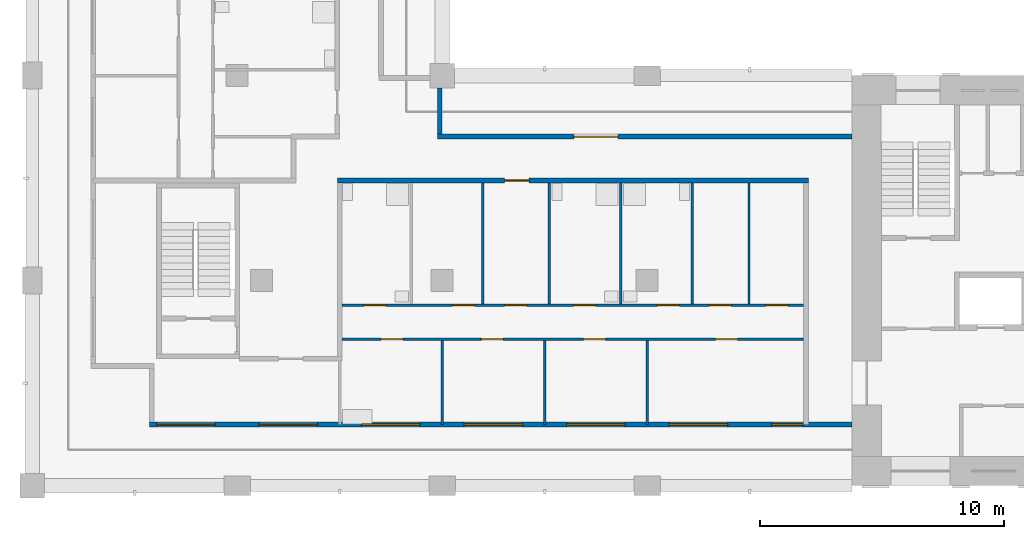
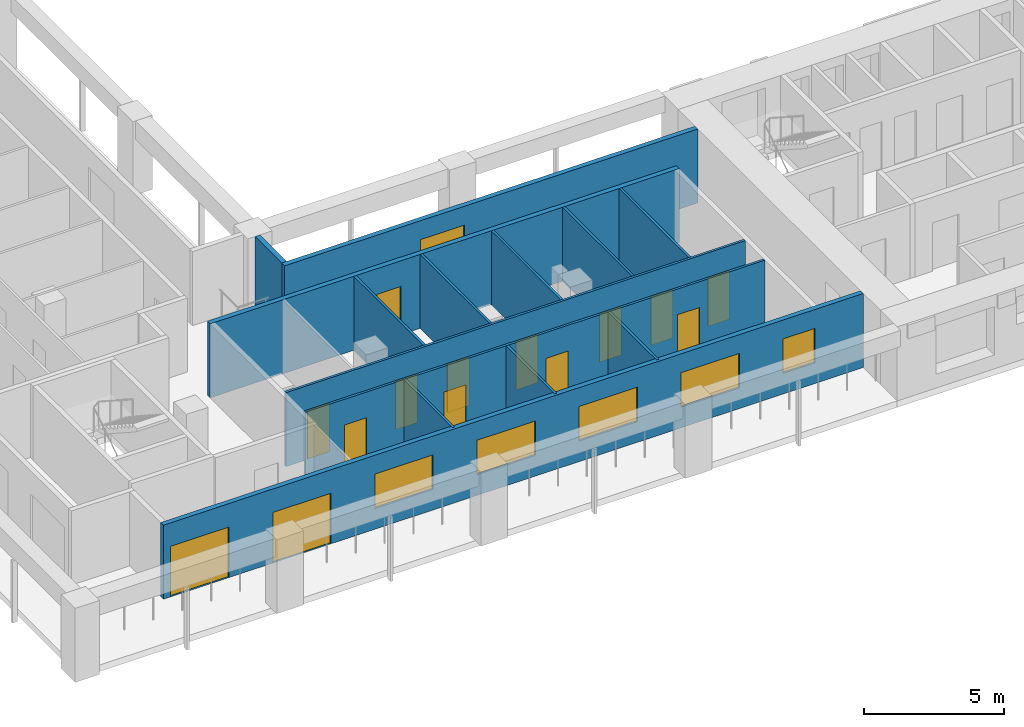
# One storey, part 2 of 10: 15 doors, 14 walls, 5 windows, 20 openings.
"""IFC4 building model written with IfcOpenShell, lengths in metres."""

from ifc_helpers import new_model, si_unit, direction, frame, frame_2d, origin, place, context, subcontext, project, spatial, rectangle, extrude, material, layer, layer_set, type_object, element, fill, save


model = new_model("IFC4")

# Units and contexts
model_context = context("Model", 3, precision=1e-05, world=origin(), true_north=direction((0.0, 1.0)))
body_context = subcontext(model_context, "Body", "Model", "MODEL_VIEW")
ifc_project = project(units=[si_unit("LENGTHUNIT", "METRE"), si_unit("AREAUNIT", "SQUARE_METRE"), si_unit("VOLUMEUNIT", "CUBIC_METRE"), si_unit("PLANEANGLEUNIT", "RADIAN"), si_unit("MASSUNIT", "GRAM", prefix="KILO")], contexts=[model_context])

# Site, building, storey
site_placement = place(None, origin())
site = spatial("IfcSite", under=ifc_project, at=site_placement, CompositionType="ELEMENT")
building_placement = place(site_placement, origin())
building = spatial("IfcBuilding", under=site, at=building_placement, Name="Vermilion Gate Residences", CompositionType="ELEMENT")
storey_placement = place(building_placement, frame((0.0, 0.0, 270.199951171875)))
storey = spatial("IfcBuildingStorey", under=building, at=storey_placement, Name="L71", CompositionType="ELEMENT", Elevation=270.199951171875)

# Wall, openings, doors, windows
ifc_material_1 = material(Name="Insulated steel stud wall with terracotta rainscreen", Category="masonry")
ifc_layer_1 = layer(ifc_material_1, 0.199951171875)
ifc_layer_set_1 = layer_set([ifc_layer_1], Name="EXTERNAL WALL 200 TERRACOTTA RAINSCREEN")
wall_type_1 = type_object("IfcWallType", Name="EXTERNAL WALL 200 TERRACOTTA RAINSCREEN", PredefinedType="SOLIDWALL", material=ifc_layer_set_1)
wall_1_placement = place(storey_placement, frame((13.199951171875, 10.89990234375, 0.0), z_axis=(0.0, 0.0, 1.0), x_axis=(1.0, 0.0, 0.0)))
wall_1 = element("IfcWall", 1, at=wall_1_placement, inside=storey, type_object=wall_type_1, Name="External wall", PredefinedType="SOLIDWALL", context=body_context, shape_type="SweptSolid", body=[
    extrude(rectangle(XDim=28.800048828125, YDim=0.199951171875, at=frame_2d((14.39990234375, 0.0))), origin(), (0.0, 0.0, 1.0), 3.219970703125),
])
opening_1_placement = place(wall_1_placement, frame((0.300048828125, 0.0, 0.0)))
opening_1 = element("IfcOpeningElement", 2, at=opening_1_placement, cuts=wall_1, Name="Opening DE71008", PredefinedType="OPENING", context=body_context, shape_type="SweptSolid", body=[
    extrude(rectangle(XDim=2.39990234375, YDim=2.199951171875, at=frame_2d((1.199951171875, 1.10009765625))), frame((0.0, 0.10986328125, 0.0), z_axis=(0.0, -1.0, 0.0), x_axis=(1.0, 0.0, 0.0)), (0.0, 0.0, 1.0), 0.219970703125),
])
opening_2_placement = place(wall_1_placement, frame((4.5, 0.0, 0.0)))
opening_2 = element("IfcOpeningElement", 3, at=opening_2_placement, cuts=wall_1, Name="Opening DE71009", PredefinedType="OPENING", context=body_context, shape_type="SweptSolid", body=[
    extrude(rectangle(XDim=2.39990234375, YDim=2.199951171875, at=frame_2d((1.199951171875, 1.10009765625))), frame((0.0, 0.10986328125, 0.0), z_axis=(0.0, -1.0, 0.0), x_axis=(1.0, 0.0, 0.0)), (0.0, 0.0, 1.0), 0.219970703125),
])
opening_3_placement = place(wall_1_placement, frame((8.699951171875, 0.0, 0.89990234375)))
opening_3 = element("IfcOpeningElement", 4, at=opening_3_placement, cuts=wall_1, Name="Opening WE71010", PredefinedType="OPENING", context=body_context, shape_type="SweptSolid", body=[
    extrude(rectangle(XDim=2.39990234375, YDim=1.5, at=frame_2d((1.199951171875, 0.75))), frame((0.0, 0.10986328125, 0.0), z_axis=(0.0, -1.0, 0.0), x_axis=(1.0, 0.0, 0.0)), (0.0, 0.0, 1.0), 0.219970703125),
])
opening_4_placement = place(wall_1_placement, frame((12.89990234375, 0.0, 0.89990234375)))
opening_4 = element("IfcOpeningElement", 5, at=opening_4_placement, cuts=wall_1, Name="Opening WE71011", PredefinedType="OPENING", context=body_context, shape_type="SweptSolid", body=[
    extrude(rectangle(XDim=2.39990234375, YDim=1.5, at=frame_2d((1.199951171875, 0.75))), frame((0.0, 0.10986328125, 0.0), z_axis=(0.0, -1.0, 0.0), x_axis=(1.0, 0.0, 0.0)), (0.0, 0.0, 1.0), 0.219970703125),
])
opening_5_placement = place(wall_1_placement, frame((17.10009765625, 0.0, 0.89990234375)))
opening_5 = element("IfcOpeningElement", 6, at=opening_5_placement, cuts=wall_1, Name="Opening WE71012", PredefinedType="OPENING", context=body_context, shape_type="SweptSolid", body=[
    extrude(rectangle(XDim=2.39990234375, YDim=1.5, at=frame_2d((1.199951171875, 0.75))), frame((0.0, 0.10986328125, 0.0), z_axis=(0.0, -1.0, 0.0), x_axis=(1.0, 0.0, 0.0)), (0.0, 0.0, 1.0), 0.219970703125),
])
opening_6_placement = place(wall_1_placement, frame((21.300048828125, 0.0, 0.89990234375)))
opening_6 = element("IfcOpeningElement", 7, at=opening_6_placement, cuts=wall_1, Name="Opening WE71013", PredefinedType="OPENING", context=body_context, shape_type="SweptSolid", body=[
    extrude(rectangle(XDim=2.39990234375, YDim=1.5, at=frame_2d((1.199951171875, 0.75))), frame((0.0, 0.10986328125, 0.0), z_axis=(0.0, -1.0, 0.0), x_axis=(1.0, 0.0, 0.0)), (0.0, 0.0, 1.0), 0.219970703125),
])
opening_7_placement = place(wall_1_placement, frame((25.5, 0.0, 0.89990234375)))
opening_7 = element("IfcOpeningElement", 8, at=opening_7_placement, cuts=wall_1, Name="Opening WE71014", PredefinedType="OPENING", context=body_context, shape_type="SweptSolid", body=[
    extrude(rectangle(XDim=1.300048828125, YDim=1.5, at=frame_2d((0.64990234375, 0.75))), frame((0.0, 0.10986328125, 0.0), z_axis=(0.0, -1.0, 0.0), x_axis=(1.0, 0.0, 0.0)), (0.0, 0.0, 1.0), 0.219970703125),
])
ifc_material_2 = material(Name="Aluminium and clear glass", Category="aluminium")
door_type_1 = type_object("IfcDoorType", Name="SLIDING GLAZED DOOR 2400 X 2200", OperationType="DOUBLE_DOOR_SLIDING", PredefinedType="DOOR", material=ifc_material_2)
door_1_placement = place(opening_1_placement, origin())
door_1 = element("IfcDoor", 9, at=door_1_placement, inside=storey, type_object=door_type_1, Name="Loggia sliding door", OperationType="DOUBLE_DOOR_SLIDING", OverallHeight=2.199951171875, OverallWidth=2.39990234375, PredefinedType="DOOR", context=body_context, shape_type="SweptSolid", body=[
    extrude(rectangle(XDim=2.39990234375, YDim=2.199951171875, at=frame_2d((1.199951171875, 1.10009765625))), frame((0.0, 0.02490234375, 0.0), z_axis=(0.0, -1.0, 0.0), x_axis=(1.0, 0.0, 0.0)), (0.0, 0.0, 1.0), 0.050048828125),
])
fill(opening_1, door_1)
door_2_placement = place(opening_2_placement, origin())
door_2 = element("IfcDoor", 10, at=door_2_placement, inside=storey, type_object=door_type_1, Name="Loggia sliding door", OperationType="DOUBLE_DOOR_SLIDING", OverallHeight=2.199951171875, OverallWidth=2.39990234375, PredefinedType="DOOR", context=body_context, shape_type="SweptSolid", body=[
    extrude(rectangle(XDim=2.39990234375, YDim=2.199951171875, at=frame_2d((1.199951171875, 1.10009765625))), frame((0.0, 0.02490234375, 0.0), z_axis=(0.0, -1.0, 0.0), x_axis=(1.0, 0.0, 0.0)), (0.0, 0.0, 1.0), 0.050048828125),
])
fill(opening_2, door_2)
ifc_material_3 = material(Name="Aluminium and clear glass", Category="aluminium")
window_type_1 = type_object("IfcWindowType", Name="WINDOW 1300 X 1500", PartitioningType="SINGLE_PANEL", PredefinedType="WINDOW", material=ifc_material_3)
window_1_placement = place(opening_7_placement, origin())
window_1 = element("IfcWindow", 11, at=window_1_placement, inside=storey, type_object=window_type_1, Name="Window", OverallHeight=1.5, OverallWidth=1.300048828125, PartitioningType="SINGLE_PANEL", PredefinedType="WINDOW", context=body_context, shape_type="SweptSolid", body=[
    extrude(rectangle(XDim=1.300048828125, YDim=1.5, at=frame_2d((0.64990234375, 0.75))), frame((0.0, 0.030029296875, 0.0), z_axis=(0.0, -1.0, 0.0), x_axis=(1.0, 0.0, 0.0)), (0.0, 0.0, 1.0), 0.06005859375),
])
fill(opening_7, window_1)
ifc_material_4 = material(Name="Aluminium and clear glass", Category="aluminium")
window_type_2 = type_object("IfcWindowType", Name="WINDOW 2400 X 1500", PartitioningType="SINGLE_PANEL", PredefinedType="WINDOW", material=ifc_material_4)
window_2_placement = place(opening_3_placement, origin())
window_2 = element("IfcWindow", 12, at=window_2_placement, inside=storey, type_object=window_type_2, Name="Window", OverallHeight=1.5, OverallWidth=2.39990234375, PartitioningType="SINGLE_PANEL", PredefinedType="WINDOW", context=body_context, shape_type="SweptSolid", body=[
    extrude(rectangle(XDim=2.39990234375, YDim=1.5, at=frame_2d((1.199951171875, 0.75))), frame((0.0, 0.030029296875, 0.0), z_axis=(0.0, -1.0, 0.0), x_axis=(1.0, 0.0, 0.0)), (0.0, 0.0, 1.0), 0.06005859375),
])
fill(opening_3, window_2)
window_3_placement = place(opening_4_placement, origin())
window_3 = element("IfcWindow", 13, at=window_3_placement, inside=storey, type_object=window_type_2, Name="Window", OverallHeight=1.5, OverallWidth=2.39990234375, PartitioningType="SINGLE_PANEL", PredefinedType="WINDOW", context=body_context, shape_type="SweptSolid", body=[
    extrude(rectangle(XDim=2.39990234375, YDim=1.5, at=frame_2d((1.199951171875, 0.75))), frame((0.0, 0.030029296875, 0.0), z_axis=(0.0, -1.0, 0.0), x_axis=(1.0, 0.0, 0.0)), (0.0, 0.0, 1.0), 0.06005859375),
])
fill(opening_4, window_3)
window_4_placement = place(opening_5_placement, origin())
window_4 = element("IfcWindow", 14, at=window_4_placement, inside=storey, type_object=window_type_2, Name="Window", OverallHeight=1.5, OverallWidth=2.39990234375, PartitioningType="SINGLE_PANEL", PredefinedType="WINDOW", context=body_context, shape_type="SweptSolid", body=[
    extrude(rectangle(XDim=2.39990234375, YDim=1.5, at=frame_2d((1.199951171875, 0.75))), frame((0.0, 0.030029296875, 0.0), z_axis=(0.0, -1.0, 0.0), x_axis=(1.0, 0.0, 0.0)), (0.0, 0.0, 1.0), 0.06005859375),
])
fill(opening_5, window_4)
window_5_placement = place(opening_6_placement, origin())
window_5 = element("IfcWindow", 15, at=window_5_placement, inside=storey, type_object=window_type_2, Name="Window", OverallHeight=1.5, OverallWidth=2.39990234375, PartitioningType="SINGLE_PANEL", PredefinedType="WINDOW", context=body_context, shape_type="SweptSolid", body=[
    extrude(rectangle(XDim=2.39990234375, YDim=1.5, at=frame_2d((1.199951171875, 0.75))), frame((0.0, 0.030029296875, 0.0), z_axis=(0.0, -1.0, 0.0), x_axis=(1.0, 0.0, 0.0)), (0.0, 0.0, 1.0), 0.06005859375),
])
fill(opening_6, window_5)

# Wall, opening, door
wall_2_placement = place(storey_placement, frame((42.0, 22.699951171875, 0.0), z_axis=(0.0, 0.0, 1.0), x_axis=(-1.0, 0.0, 0.0)))
wall_2 = element("IfcWall", 16, at=wall_2_placement, inside=storey, type_object=wall_type_1, Name="External wall", PredefinedType="SOLIDWALL", context=body_context, shape_type="SweptSolid", body=[
    extrude(rectangle(XDim=17.0, YDim=0.199951171875, at=frame_2d((8.5, 0.0))), origin(), (0.0, 0.0, 1.0), 3.219970703125),
])
opening_8_placement = place(wall_2_placement, frame((9.60009765625, 0.0, 0.0)))
opening_8 = element("IfcOpeningElement", 17, at=opening_8_placement, cuts=wall_2, Name="Opening DE71015", PredefinedType="OPENING", context=body_context, shape_type="SweptSolid", body=[
    extrude(rectangle(XDim=1.800048828125, YDim=2.39990234375, at=frame_2d((0.89990234375, 1.199951171875))), frame((0.0, 0.10986328125, 0.0), z_axis=(0.0, -1.0, 0.0), x_axis=(1.0, 0.0, 0.0)), (0.0, 0.0, 1.0), 0.219970703125),
])
ifc_material_5 = material(Name="Aluminium and clear glass", Category="aluminium")
door_type_2 = type_object("IfcDoorType", Name="GLAZED EXTERNAL DOOR 1800 X 2400", OperationType="DOUBLE_DOOR_SINGLE_SWING", PredefinedType="DOOR", material=ifc_material_5)
door_3_placement = place(opening_8_placement, frame((1.800048828125, 0.0, 0.0), z_axis=(0.0, 0.0, 1.0), x_axis=(-1.0, 0.0, 0.0)))
door_3 = element("IfcDoor", 18, at=door_3_placement, inside=storey, type_object=door_type_2, Name="Gallery door", OperationType="DOUBLE_DOOR_SINGLE_SWING", OverallHeight=2.39990234375, OverallWidth=1.800048828125, PredefinedType="DOOR", context=body_context, shape_type="SweptSolid", body=[
    extrude(rectangle(XDim=1.800048828125, YDim=2.39990234375, at=frame_2d((0.89990234375, 1.199951171875))), frame((0.0, 0.02490234375, 0.0), z_axis=(0.0, -1.0, 0.0), x_axis=(1.0, 0.0, 0.0)), (0.0, 0.0, 1.0), 0.050048828125),
])
fill(opening_8, door_3)

# Wall
wall_3_placement = place(storey_placement, frame((25.10009765625, 22.800048828125, 0.0), z_axis=(0.0, 0.0, 1.0), x_axis=(0.0, 1.0, 0.0)))
element("IfcWall", 19, at=wall_3_placement, inside=storey, type_object=wall_type_1, Name="External wall", PredefinedType="SOLIDWALL", context=body_context, shape_type="SweptSolid", body=[
    extrude(rectangle(XDim=1.89990234375, YDim=0.199951171875, at=frame_2d((0.949951171875, 0.0))), origin(), (0.0, 0.0, 1.0), 3.219970703125),
])

# Wall, openings, doors
ifc_material_6 = material(Name="Plasterboard on steel studs", Category="steel")
ifc_layer_2 = layer(ifc_material_6, 0.10009765625)
ifc_layer_set_2 = layer_set([ifc_layer_2], Name="PARTITION 100")
wall_type_2 = type_object("IfcWallType", Name="PARTITION 100", PredefinedType="PARTITIONING", material=ifc_layer_set_2)
wall_4_placement = place(storey_placement, frame((21.10009765625, 14.39990234375, 0.0), z_axis=(0.0, 0.0, 1.0), x_axis=(1.0, 0.0, 0.0)))
wall_4 = element("IfcWall", 20, at=wall_4_placement, inside=storey, type_object=wall_type_2, Name="Partition", PredefinedType="PARTITIONING", context=body_context, shape_type="SweptSolid", body=[
    extrude(rectangle(XDim=18.89990234375, YDim=0.10009765625, at=frame_2d((9.449951171875, 0.0))), origin(), (0.0, 0.0, 1.0), 3.219970703125),
])
opening_9_placement = place(wall_4_placement, frame((1.60009765625, 0.0, 0.0)))
opening_9 = element("IfcOpeningElement", 21, at=opening_9_placement, cuts=wall_4, Name="Opening DA70002", PredefinedType="OPENING", context=body_context, shape_type="SweptSolid", body=[
    extrude(rectangle(XDim=0.89990234375, YDim=2.10009765625, at=frame_2d((0.449951171875, 1.050048828125))), frame((0.0, 0.06005859375, 0.0), z_axis=(0.0, -1.0, 0.0), x_axis=(1.0, 0.0, 0.0)), (0.0, 0.0, 1.0), 0.1201171875),
])
opening_10_placement = place(wall_4_placement, frame((5.699951171875, 0.0, 0.0)))
opening_10 = element("IfcOpeningElement", 22, at=opening_10_placement, cuts=wall_4, Name="Opening DA70003", PredefinedType="OPENING", context=body_context, shape_type="SweptSolid", body=[
    extrude(rectangle(XDim=0.89990234375, YDim=2.10009765625, at=frame_2d((0.449951171875, 1.050048828125))), frame((0.0, 0.06005859375, 0.0), z_axis=(0.0, -1.0, 0.0), x_axis=(1.0, 0.0, 0.0)), (0.0, 0.0, 1.0), 0.1201171875),
])
opening_11_placement = place(wall_4_placement, frame((9.89990234375, 0.0, 0.0)))
opening_11 = element("IfcOpeningElement", 23, at=opening_11_placement, cuts=wall_4, Name="Opening DA70004", PredefinedType="OPENING", context=body_context, shape_type="SweptSolid", body=[
    extrude(rectangle(XDim=0.89990234375, YDim=2.10009765625, at=frame_2d((0.449951171875, 1.050048828125))), frame((0.0, 0.06005859375, 0.0), z_axis=(0.0, -1.0, 0.0), x_axis=(1.0, 0.0, 0.0)), (0.0, 0.0, 1.0), 0.1201171875),
])
opening_12_placement = place(wall_4_placement, frame((15.300048828125, 0.0, 0.0)))
opening_12 = element("IfcOpeningElement", 24, at=opening_12_placement, cuts=wall_4, Name="Opening DA70005", PredefinedType="OPENING", context=body_context, shape_type="SweptSolid", body=[
    extrude(rectangle(XDim=0.89990234375, YDim=2.10009765625, at=frame_2d((0.449951171875, 1.050048828125))), frame((0.0, 0.06005859375, 0.0), z_axis=(0.0, -1.0, 0.0), x_axis=(1.0, 0.0, 0.0)), (0.0, 0.0, 1.0), 0.1201171875),
])
ifc_material_7 = material(Name="Timber", Category="wood")
door_type_3 = type_object("IfcDoorType", Name="INTERIOR DOOR 900 X 2100", OperationType="SINGLE_SWING_LEFT", PredefinedType="DOOR", material=ifc_material_7)
door_4_placement = place(opening_9_placement, frame((0.89990234375, 0.0, 0.0), z_axis=(0.0, 0.0, 1.0), x_axis=(-1.0, 0.0, 0.0)))
door_4 = element("IfcDoor", 25, at=door_4_placement, inside=storey, type_object=door_type_3, Name="Interior door", OperationType="SINGLE_SWING_LEFT", OverallHeight=2.10009765625, OverallWidth=0.89990234375, PredefinedType="DOOR", context=body_context, shape_type="SweptSolid", body=[
    extrude(rectangle(XDim=0.89990234375, YDim=2.10009765625, at=frame_2d((0.449951171875, 1.050048828125))), frame((0.0, 0.02490234375, 0.0), z_axis=(0.0, -1.0, 0.0), x_axis=(1.0, 0.0, 0.0)), (0.0, 0.0, 1.0), 0.050048828125),
])
fill(opening_9, door_4)
door_5_placement = place(opening_10_placement, frame((0.89990234375, 0.0, 0.0), z_axis=(0.0, 0.0, 1.0), x_axis=(-1.0, 0.0, 0.0)))
door_5 = element("IfcDoor", 26, at=door_5_placement, inside=storey, type_object=door_type_3, Name="Interior door", OperationType="SINGLE_SWING_RIGHT", OverallHeight=2.10009765625, OverallWidth=0.89990234375, PredefinedType="DOOR", context=body_context, shape_type="SweptSolid", body=[
    extrude(rectangle(XDim=0.89990234375, YDim=2.10009765625, at=frame_2d((0.449951171875, 1.050048828125))), frame((0.0, 0.02490234375, 0.0), z_axis=(0.0, -1.0, 0.0), x_axis=(1.0, 0.0, 0.0)), (0.0, 0.0, 1.0), 0.050048828125),
])
fill(opening_10, door_5)
door_6_placement = place(opening_11_placement, frame((0.89990234375, 0.0, 0.0), z_axis=(0.0, 0.0, 1.0), x_axis=(-1.0, 0.0, 0.0)))
door_6 = element("IfcDoor", 27, at=door_6_placement, inside=storey, type_object=door_type_3, Name="Interior door", OperationType="SINGLE_SWING_RIGHT", OverallHeight=2.10009765625, OverallWidth=0.89990234375, PredefinedType="DOOR", context=body_context, shape_type="SweptSolid", body=[
    extrude(rectangle(XDim=0.89990234375, YDim=2.10009765625, at=frame_2d((0.449951171875, 1.050048828125))), frame((0.0, 0.02490234375, 0.0), z_axis=(0.0, -1.0, 0.0), x_axis=(1.0, 0.0, 0.0)), (0.0, 0.0, 1.0), 0.050048828125),
])
fill(opening_11, door_6)
door_7_placement = place(opening_12_placement, frame((0.89990234375, 0.0, 0.0), z_axis=(0.0, 0.0, 1.0), x_axis=(-1.0, 0.0, 0.0)))
door_7 = element("IfcDoor", 28, at=door_7_placement, inside=storey, type_object=door_type_3, Name="Interior door", OperationType="SINGLE_SWING_LEFT", OverallHeight=2.10009765625, OverallWidth=0.89990234375, PredefinedType="DOOR", context=body_context, shape_type="SweptSolid", body=[
    extrude(rectangle(XDim=0.89990234375, YDim=2.10009765625, at=frame_2d((0.449951171875, 1.050048828125))), frame((0.0, 0.02490234375, 0.0), z_axis=(0.0, -1.0, 0.0), x_axis=(1.0, 0.0, 0.0)), (0.0, 0.0, 1.0), 0.050048828125),
])
fill(opening_12, door_7)

wall_5_placement = place(storey_placement, frame((21.10009765625, 15.800048828125, 0.0), z_axis=(0.0, 0.0, 1.0), x_axis=(1.0, 0.0, 0.0)))
wall_5 = element("IfcWall", 29, at=wall_5_placement, inside=storey, type_object=wall_type_2, Name="Partition", PredefinedType="PARTITIONING", context=body_context, shape_type="SweptSolid", body=[
    extrude(rectangle(XDim=18.89990234375, YDim=0.10009765625, at=frame_2d((9.449951171875, 0.0))), origin(), (0.0, 0.0, 1.0), 3.219970703125),
])
opening_13_placement = place(wall_5_placement, frame((6.656982421875, 0.0, 0.0)))
opening_13 = element("IfcOpeningElement", 30, at=opening_13_placement, cuts=wall_5, Name="Opening DA70006", PredefinedType="OPENING", context=body_context, shape_type="SweptSolid", body=[
    extrude(rectangle(XDim=0.89990234375, YDim=2.10009765625, at=frame_2d((0.449951171875, 1.050048828125))), frame((0.0, 0.06005859375, 0.0), z_axis=(0.0, -1.0, 0.0), x_axis=(1.0, 0.0, 0.0)), (0.0, 0.0, 1.0), 0.1201171875),
])
opening_14_placement = place(wall_5_placement, frame((0.89990234375, 0.0, 0.0)))
opening_14 = element("IfcOpeningElement", 31, at=opening_14_placement, cuts=wall_5, Name="Opening DA70007", PredefinedType="OPENING", context=body_context, shape_type="SweptSolid", body=[
    extrude(rectangle(XDim=0.89990234375, YDim=2.10009765625, at=frame_2d((0.449951171875, 1.050048828125))), frame((0.0, 0.06005859375, 0.0), z_axis=(0.0, -1.0, 0.0), x_axis=(1.0, 0.0, 0.0)), (0.0, 0.0, 1.0), 0.1201171875),
])
opening_15_placement = place(wall_5_placement, frame((4.529052734375, 0.0, 0.0)))
opening_15 = element("IfcOpeningElement", 32, at=opening_15_placement, cuts=wall_5, Name="Opening DA70008", PredefinedType="OPENING", context=body_context, shape_type="SweptSolid", body=[
    extrude(rectangle(XDim=0.89990234375, YDim=2.10009765625, at=frame_2d((0.449951171875, 1.050048828125))), frame((0.0, 0.06005859375, 0.0), z_axis=(0.0, -1.0, 0.0), x_axis=(1.0, 0.0, 0.0)), (0.0, 0.0, 1.0), 0.1201171875),
])
opening_16_placement = place(wall_5_placement, frame((9.486083984375, 0.0, 0.0)))
opening_16 = element("IfcOpeningElement", 33, at=opening_16_placement, cuts=wall_5, Name="Opening DA70009", PredefinedType="OPENING", context=body_context, shape_type="SweptSolid", body=[
    extrude(rectangle(XDim=0.89990234375, YDim=2.10009765625, at=frame_2d((0.449951171875, 1.050048828125))), frame((0.0, 0.06005859375, 0.0), z_axis=(0.0, -1.0, 0.0), x_axis=(1.0, 0.0, 0.0)), (0.0, 0.0, 1.0), 0.1201171875),
])
opening_17_placement = place(wall_5_placement, frame((12.9140625, 0.0, 0.0)))
opening_17 = element("IfcOpeningElement", 34, at=opening_17_placement, cuts=wall_5, Name="Opening DA70010", PredefinedType="OPENING", context=body_context, shape_type="SweptSolid", body=[
    extrude(rectangle(XDim=0.89990234375, YDim=2.10009765625, at=frame_2d((0.449951171875, 1.050048828125))), frame((0.0, 0.06005859375, 0.0), z_axis=(0.0, -1.0, 0.0), x_axis=(1.0, 0.0, 0.0)), (0.0, 0.0, 1.0), 0.1201171875),
])
opening_18_placement = place(wall_5_placement, frame((15.04296875, 0.0, 0.0)))
opening_18 = element("IfcOpeningElement", 35, at=opening_18_placement, cuts=wall_5, Name="Opening DA70011", PredefinedType="OPENING", context=body_context, shape_type="SweptSolid", body=[
    extrude(rectangle(XDim=0.89990234375, YDim=2.10009765625, at=frame_2d((0.449951171875, 1.050048828125))), frame((0.0, 0.06005859375, 0.0), z_axis=(0.0, -1.0, 0.0), x_axis=(1.0, 0.0, 0.0)), (0.0, 0.0, 1.0), 0.1201171875),
])
opening_19_placement = place(wall_5_placement, frame((17.3720703125, 0.0, 0.0)))
opening_19 = element("IfcOpeningElement", 36, at=opening_19_placement, cuts=wall_5, Name="Opening DA70012", PredefinedType="OPENING", context=body_context, shape_type="SweptSolid", body=[
    extrude(rectangle(XDim=0.89990234375, YDim=2.10009765625, at=frame_2d((0.449951171875, 1.050048828125))), frame((0.0, 0.06005859375, 0.0), z_axis=(0.0, -1.0, 0.0), x_axis=(1.0, 0.0, 0.0)), (0.0, 0.0, 1.0), 0.1201171875),
])
door_8_placement = place(opening_13_placement, origin())
door_8 = element("IfcDoor", 37, at=door_8_placement, inside=storey, type_object=door_type_3, Name="Interior door", OperationType="SINGLE_SWING_LEFT", OverallHeight=2.10009765625, OverallWidth=0.89990234375, PredefinedType="DOOR", context=body_context, shape_type="SweptSolid", body=[
    extrude(rectangle(XDim=0.89990234375, YDim=2.10009765625, at=frame_2d((0.449951171875, 1.050048828125))), frame((0.0, 0.02490234375, 0.0), z_axis=(0.0, -1.0, 0.0), x_axis=(1.0, 0.0, 0.0)), (0.0, 0.0, 1.0), 0.050048828125),
])
fill(opening_13, door_8)
door_9_placement = place(opening_14_placement, origin())
door_9 = element("IfcDoor", 38, at=door_9_placement, inside=storey, type_object=door_type_3, Name="Interior door", OperationType="SINGLE_SWING_RIGHT", OverallHeight=2.10009765625, OverallWidth=0.89990234375, PredefinedType="DOOR", context=body_context, shape_type="SweptSolid", body=[
    extrude(rectangle(XDim=0.89990234375, YDim=2.10009765625, at=frame_2d((0.449951171875, 1.050048828125))), frame((0.0, 0.02490234375, 0.0), z_axis=(0.0, -1.0, 0.0), x_axis=(1.0, 0.0, 0.0)), (0.0, 0.0, 1.0), 0.050048828125),
])
fill(opening_14, door_9)
door_10_placement = place(opening_15_placement, origin())
door_10 = element("IfcDoor", 39, at=door_10_placement, inside=storey, type_object=door_type_3, Name="Interior door", OperationType="SINGLE_SWING_RIGHT", OverallHeight=2.10009765625, OverallWidth=0.89990234375, PredefinedType="DOOR", context=body_context, shape_type="SweptSolid", body=[
    extrude(rectangle(XDim=0.89990234375, YDim=2.10009765625, at=frame_2d((0.449951171875, 1.050048828125))), frame((0.0, 0.02490234375, 0.0), z_axis=(0.0, -1.0, 0.0), x_axis=(1.0, 0.0, 0.0)), (0.0, 0.0, 1.0), 0.050048828125),
])
fill(opening_15, door_10)
door_11_placement = place(opening_16_placement, origin())
door_11 = element("IfcDoor", 40, at=door_11_placement, inside=storey, type_object=door_type_3, Name="Interior door", OperationType="SINGLE_SWING_RIGHT", OverallHeight=2.10009765625, OverallWidth=0.89990234375, PredefinedType="DOOR", context=body_context, shape_type="SweptSolid", body=[
    extrude(rectangle(XDim=0.89990234375, YDim=2.10009765625, at=frame_2d((0.449951171875, 1.050048828125))), frame((0.0, 0.02490234375, 0.0), z_axis=(0.0, -1.0, 0.0), x_axis=(1.0, 0.0, 0.0)), (0.0, 0.0, 1.0), 0.050048828125),
])
fill(opening_16, door_11)
door_12_placement = place(opening_17_placement, origin())
door_12 = element("IfcDoor", 41, at=door_12_placement, inside=storey, type_object=door_type_3, Name="Interior door", OperationType="SINGLE_SWING_RIGHT", OverallHeight=2.10009765625, OverallWidth=0.89990234375, PredefinedType="DOOR", context=body_context, shape_type="SweptSolid", body=[
    extrude(rectangle(XDim=0.89990234375, YDim=2.10009765625, at=frame_2d((0.449951171875, 1.050048828125))), frame((0.0, 0.02490234375, 0.0), z_axis=(0.0, -1.0, 0.0), x_axis=(1.0, 0.0, 0.0)), (0.0, 0.0, 1.0), 0.050048828125),
])
fill(opening_17, door_12)
door_13_placement = place(opening_18_placement, origin())
door_13 = element("IfcDoor", 42, at=door_13_placement, inside=storey, type_object=door_type_3, Name="Interior door", OperationType="SINGLE_SWING_LEFT", OverallHeight=2.10009765625, OverallWidth=0.89990234375, PredefinedType="DOOR", context=body_context, shape_type="SweptSolid", body=[
    extrude(rectangle(XDim=0.89990234375, YDim=2.10009765625, at=frame_2d((0.449951171875, 1.050048828125))), frame((0.0, 0.02490234375, 0.0), z_axis=(0.0, -1.0, 0.0), x_axis=(1.0, 0.0, 0.0)), (0.0, 0.0, 1.0), 0.050048828125),
])
fill(opening_18, door_13)
door_14_placement = place(opening_19_placement, origin())
door_14 = element("IfcDoor", 43, at=door_14_placement, inside=storey, type_object=door_type_3, Name="Interior door", OperationType="SINGLE_SWING_RIGHT", OverallHeight=2.10009765625, OverallWidth=0.89990234375, PredefinedType="DOOR", context=body_context, shape_type="SweptSolid", body=[
    extrude(rectangle(XDim=0.89990234375, YDim=2.10009765625, at=frame_2d((0.449951171875, 1.050048828125))), frame((0.0, 0.02490234375, 0.0), z_axis=(0.0, -1.0, 0.0), x_axis=(1.0, 0.0, 0.0)), (0.0, 0.0, 1.0), 0.050048828125),
])
fill(opening_19, door_14)

# Walls
wall_6_placement = place(storey_placement, frame((25.199951171875, 10.89990234375, 0.0), z_axis=(0.0, 0.0, 1.0), x_axis=(0.0, 1.0, 0.0)))
element("IfcWall", 44, at=wall_6_placement, inside=storey, type_object=wall_type_2, Name="Partition", PredefinedType="PARTITIONING", context=body_context, shape_type="SweptSolid", body=[
    extrude(rectangle(XDim=3.4501953125, YDim=0.10009765625, at=frame_2d((1.72509765625, 0.0))), origin(), (0.0, 0.0, 1.0), 3.219970703125),
])
wall_7_placement = place(storey_placement, frame((26.85693359375, 15.85009765625, 0.0), z_axis=(0.0, 0.0, 1.0), x_axis=(0.0, 1.0, 0.0)))
element("IfcWall", 45, at=wall_7_placement, inside=storey, type_object=wall_type_2, Name="Partition", PredefinedType="PARTITIONING", context=body_context, shape_type="SweptSolid", body=[
    extrude(rectangle(XDim=4.949951171875, YDim=0.10009765625, at=frame_2d((2.47509765625, 0.0))), origin(), (0.0, 0.0, 1.0), 3.219970703125),
])
wall_8_placement = place(storey_placement, frame((29.39990234375, 10.89990234375, 0.0), z_axis=(0.0, 0.0, 1.0), x_axis=(0.0, 1.0, 0.0)))
element("IfcWall", 46, at=wall_8_placement, inside=storey, type_object=wall_type_2, Name="Partition", PredefinedType="PARTITIONING", context=body_context, shape_type="SweptSolid", body=[
    extrude(rectangle(XDim=3.4501953125, YDim=0.10009765625, at=frame_2d((1.72509765625, 0.0))), origin(), (0.0, 0.0, 1.0), 3.219970703125),
])
for number, where, z_axis, x_axis, name in (
    (47, (29.5859375, 15.85009765625, 0.0), (0.0, 0.0, 1.0), (0.0, 1.0, 0.0), "Partition"),
    (48, (32.513916015625, 15.85009765625, 0.0), (0.0, 0.0, 1.0), (0.0, 1.0, 0.0), "Partition"),
):
    element("IfcWall", number, at=place(storey_placement, frame(where, z_axis=z_axis, x_axis=x_axis)), inside=storey, type_object=wall_type_2, Name=name, PredefinedType="PARTITIONING", context=body_context, shape_type="SweptSolid", body=[
        extrude(rectangle(XDim=4.949951171875, YDim=0.10009765625, at=frame_2d((2.47509765625, 0.0))), origin(), (0.0, 0.0, 1.0), 3.219970703125),
    ])
wall_9_placement = place(storey_placement, frame((33.60009765625, 10.89990234375, 0.0), z_axis=(0.0, 0.0, 1.0), x_axis=(0.0, 1.0, 0.0)))
element("IfcWall", 49, at=wall_9_placement, inside=storey, type_object=wall_type_2, Name="Partition", PredefinedType="PARTITIONING", context=body_context, shape_type="SweptSolid", body=[
    extrude(rectangle(XDim=3.4501953125, YDim=0.10009765625, at=frame_2d((1.72509765625, 0.0))), origin(), (0.0, 0.0, 1.0), 3.219970703125),
])
for number, where, z_axis, x_axis, name in (
    (50, (35.443115234375, 15.85009765625, 0.0), (0.0, 0.0, 1.0), (0.0, 1.0, 0.0), "Partition"),
    (51, (37.77197265625, 15.85009765625, 0.0), (0.0, 0.0, 1.0), (0.0, 1.0, 0.0), "Partition"),
):
    element("IfcWall", number, at=place(storey_placement, frame(where, z_axis=z_axis, x_axis=x_axis)), inside=storey, type_object=wall_type_2, Name=name, PredefinedType="PARTITIONING", context=body_context, shape_type="SweptSolid", body=[
        extrude(rectangle(XDim=4.949951171875, YDim=0.10009765625, at=frame_2d((2.47509765625, 0.0))), origin(), (0.0, 0.0, 1.0), 3.219970703125),
    ])

# Wall, opening, door
ifc_material_8 = material(Name="Fire-rated plasterboard on steel studs", Category="steel")
ifc_layer_3 = layer(ifc_material_8, 0.199951171875)
ifc_layer_set_3 = layer_set([ifc_layer_3], Name="PARTY WALL 200 EI 120")
wall_type_3 = type_object("IfcWallType", Name="PARTY WALL 200 EI 120", PredefinedType="PARTITIONING", material=ifc_layer_set_3)
wall_10_placement = place(storey_placement, frame((20.89990234375, 20.89990234375, 0.0), z_axis=(0.0, 0.0, 1.0), x_axis=(1.0, 0.0, 0.0)))
wall_10 = element("IfcWall", 52, at=wall_10_placement, inside=storey, type_object=wall_type_3, Name="Party and corridor wall", PredefinedType="PARTITIONING", context=body_context, shape_type="SweptSolid", body=[
    extrude(rectangle(XDim=19.300048828125, YDim=0.199951171875, at=frame_2d((9.64990234375, 0.0))), origin(), (0.0, 0.0, 1.0), 3.219970703125),
])
opening_20_placement = place(wall_10_placement, frame((6.85693359375, 0.0, 0.0)))
opening_20 = element("IfcOpeningElement", 53, at=opening_20_placement, cuts=wall_10, Name="Opening DA70013", PredefinedType="OPENING", context=body_context, shape_type="SweptSolid", body=[
    extrude(rectangle(XDim=1.0, YDim=2.10009765625, at=frame_2d((0.5, 1.050048828125))), frame((0.0, 0.10986328125, 0.0), z_axis=(0.0, -1.0, 0.0), x_axis=(1.0, 0.0, 0.0)), (0.0, 0.0, 1.0), 0.219970703125),
])
ifc_material_9 = material(Name="Steel", Category="steel")
door_type_4 = type_object("IfcDoorType", Name="ENTRANCE DOOR 1000 X 2100 FD30", OperationType="SINGLE_SWING_LEFT", PredefinedType="DOOR", material=ifc_material_9)
door_15_placement = place(opening_20_placement, frame((1.0, 0.0, 0.0), z_axis=(0.0, 0.0, 1.0), x_axis=(-1.0, 0.0, 0.0)))
door_15 = element("IfcDoor", 54, at=door_15_placement, inside=storey, type_object=door_type_4, Name="Entrance door", OperationType="SINGLE_SWING_LEFT", OverallHeight=2.10009765625, OverallWidth=1.0, PredefinedType="DOOR", context=body_context, shape_type="SweptSolid", body=[
    extrude(rectangle(XDim=1.0, YDim=2.10009765625, at=frame_2d((0.5, 1.050048828125))), frame((0.0, 0.02490234375, 0.0), z_axis=(0.0, -1.0, 0.0), x_axis=(1.0, 0.0, 0.0)), (0.0, 0.0, 1.0), 0.050048828125),
])
fill(opening_20, door_15)

save(model, "model.ifc")
